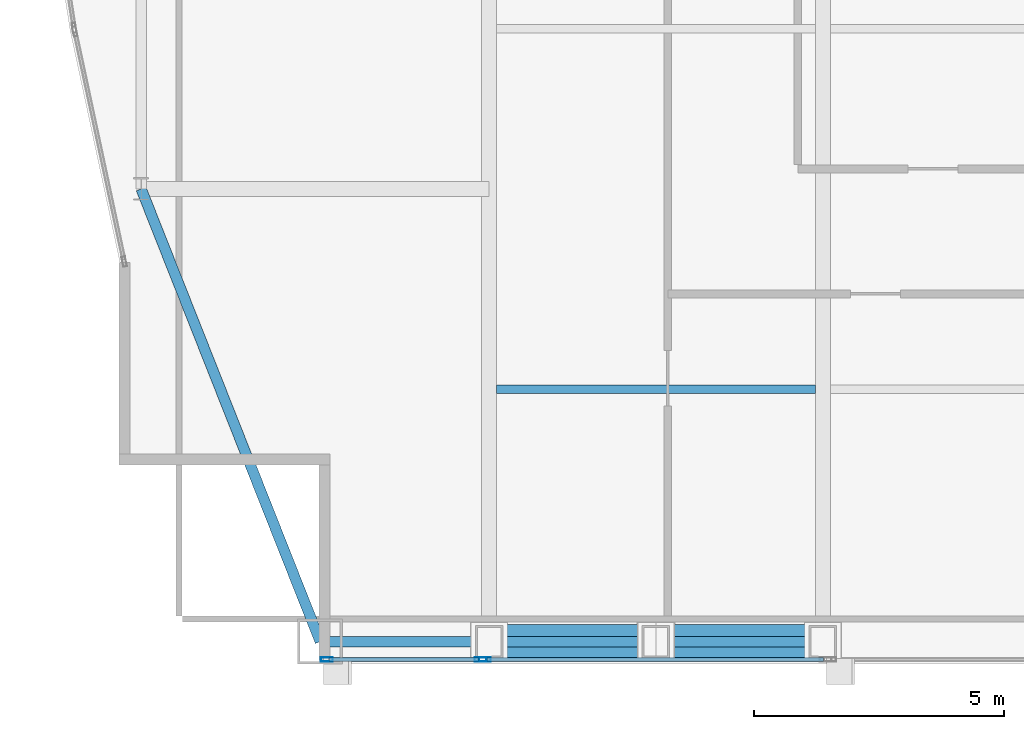
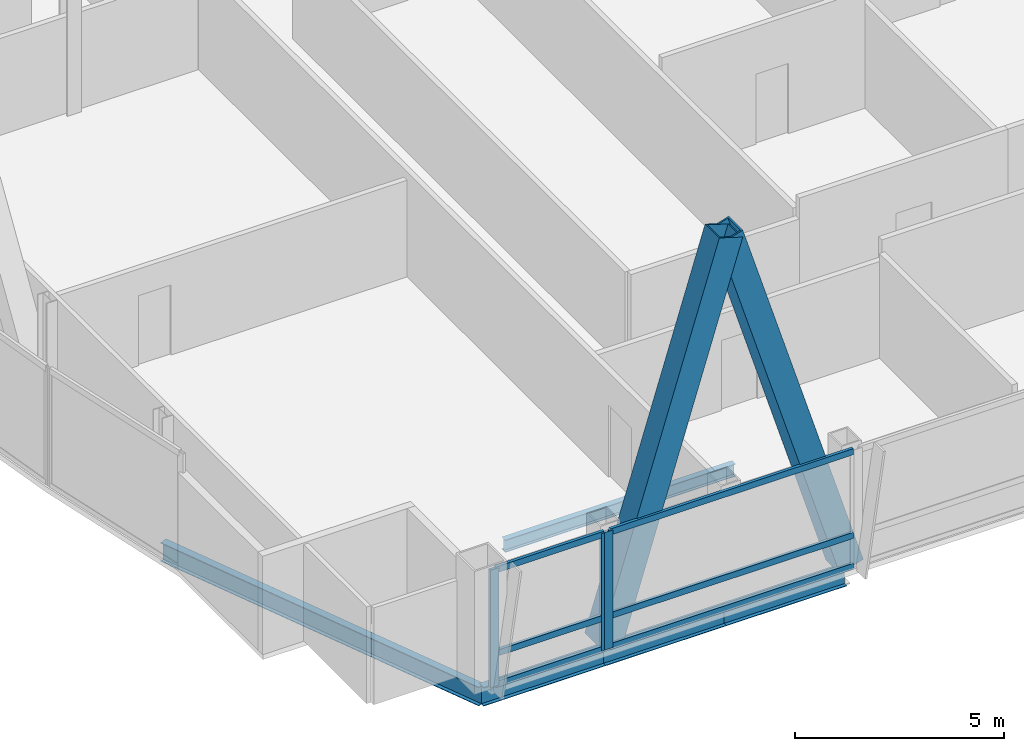
# One storey, part 4 of 29: 11 members, 5 beams, 2 elements without a shape of their own.
"""IFC4 building model written with IfcOpenShell, lengths in metres."""

from ifc_helpers import new_model, si_unit, direction, frame, origin, origin_2d, place, context, subcontext, project, spatial, hollow_rectangle, i_section, extrude, material, material_profile, profile_set, type_object, element, aggregate, save


model = new_model("IFC4")

# Units and contexts
model_context = context("Model", 3, precision=1e-05, world=origin(), true_north=direction((0.0, 1.0)))
body_context = subcontext(model_context, "Body", "Model", "MODEL_VIEW")
ifc_project = project(units=[si_unit("LENGTHUNIT", "METRE"), si_unit("AREAUNIT", "SQUARE_METRE"), si_unit("VOLUMEUNIT", "CUBIC_METRE"), si_unit("PLANEANGLEUNIT", "RADIAN"), si_unit("MASSUNIT", "GRAM", prefix="KILO")], contexts=[model_context])

# Site, building, storey
site_placement = place(None, origin())
site = spatial("IfcSite", under=ifc_project, at=site_placement, CompositionType="ELEMENT")
building_placement = place(site_placement, origin())
building = spatial("IfcBuilding", under=site, at=building_placement, Name="Khoronbel Lancet Exchange", CompositionType="ELEMENT")
storey_placement = place(building_placement, frame((0.0, 0.0, 314.60009765625)))
storey = spatial("IfcBuildingStorey", under=building, at=storey_placement, Name="L81", CompositionType="ELEMENT", Elevation=314.60009765625)

# Beams
ifc_material_1 = material(Name="Steel S355", Category="steel")
ifc_material_profile_1 = material_profile(ifc_material_1, i_section(OverallWidth=0.169921875, OverallDepth=0.360107421875, WebThickness=0.008056640625, FlangeThickness=0.0126953125, at=origin_2d()), Name="IPE 360")
ifc_profile_set_1 = profile_set([ifc_material_profile_1], Name="Steel S355")
beam_type_1 = type_object("IfcBeamType", Name="BM-BJ6", PredefinedType="JOIST", material=ifc_profile_set_1)
beam_1_placement = place(storey_placement, frame((18.375, 15.199951171875, -0.340087890625), z_axis=(1.0, 0.0, 0.0), x_axis=(0.0, 1.0, 0.0)))
element("IfcBeam", 1, at=beam_1_placement, inside=storey, type_object=beam_type_1, Name="Level L81 secondary composite joist J01", PredefinedType="JOIST", context=body_context, shape_type="SweptSolid", body=[
    extrude(i_section(OverallWidth=0.169921875, OverallDepth=0.360107421875, WebThickness=0.008056640625, FlangeThickness=0.0126953125, at=origin_2d()), origin(), (0.0, 0.0, 1.0), 6.375),
])
ifc_material_profile_2 = material_profile(ifc_material_1, i_section(OverallWidth=0.2099609375, OverallDepth=0.550048828125, WebThickness=0.010986328125, FlangeThickness=0.01708984375, at=origin_2d()), Name="IPE 550")
ifc_profile_set_2 = profile_set([ifc_material_profile_2], Name="Steel S355")
beam_type_2 = type_object("IfcBeamType", Name="BM-BSP3", PredefinedType="SPANDREL", material=ifc_profile_set_2)
beam_2_placement = place(storey_placement, frame((14.85009765625, 10.14990234375, -0.43505859375), z_axis=(1.0, 0.0, 0.0), x_axis=(0.0, 1.0, 0.0)))
element("IfcBeam", 2, at=beam_2_placement, inside=storey, type_object=beam_type_2, Name="Level L81 perimeter spandrel beam SP01", PredefinedType="SPANDREL", context=body_context, shape_type="SweptSolid", body=[
    extrude(i_section(OverallWidth=0.2099609375, OverallDepth=0.550048828125, WebThickness=0.010986328125, FlangeThickness=0.01708984375, at=origin_2d()), origin(), (0.0, 0.0, 1.0), 3.375),
])
for number, where, z_axis, x_axis, name in (
    (3, (18.22509765625, 10.14990234375, -0.43505859375), (1.0, 0.0, 0.0), (0.0, 1.0, 0.0), "Level L81 perimeter spandrel beam SP02"),
    (4, (21.5625, 10.14990234375, -0.43505859375), (1.0, 0.0, 0.0), (0.0, 1.0, 0.0), "Level L81 perimeter spandrel beam SP03"),
):
    element("IfcBeam", number, at=place(storey_placement, frame(where, z_axis=z_axis, x_axis=x_axis)), inside=storey, type_object=beam_type_2, Name=name, PredefinedType="SPANDREL", context=body_context, shape_type="SweptSolid", body=[
        extrude(i_section(OverallWidth=0.2099609375, OverallDepth=0.550048828125, WebThickness=0.010986328125, FlangeThickness=0.01708984375, at=origin_2d()), origin(), (0.0, 0.0, 1.0), 3.33740234375),
    ])
beam_3_placement = place(storey_placement, frame((11.27001953125, 19.199951171875, -0.43505859375), z_axis=(0.367850095026, -0.92988510451, 0.0), x_axis=(0.92988510451, 0.367850095026, 0.0)))
element("IfcBeam", 5, at=beam_3_placement, inside=storey, type_object=beam_type_2, Name="Level L81 perimeter spandrel beam SP18", PredefinedType="SPANDREL", context=body_context, shape_type="SweptSolid", body=[
    extrude(i_section(OverallWidth=0.2099609375, OverallDepth=0.550048828125, WebThickness=0.010986328125, FlangeThickness=0.01708984375, at=origin_2d()), origin(), (0.0, 0.0, 1.0), 9.732421875),
])

# Curtain wall, members
ifc_material_2 = material(Name="Low-E Solar Control Insulating Glass", Category="glass")
curtain_wall_type = type_object("IfcCurtainWallType", Name="CW-3", PredefinedType="NOTDEFINED", material=ifc_material_2)
curtain_wall_1_placement = place(storey_placement, origin())
curtain_wall_1 = element("IfcCurtainWall", 6, at=curtain_wall_1_placement, inside=storey, type_object=curtain_wall_type, Name="Unitised curtain wall CW-L81-SWV", PredefinedType="NOTDEFINED")
ifc_material_3 = material(Name="Bronze-Anodised Aluminium 6063-T6", Category="aluminium")
ifc_material_profile_3 = material_profile(ifc_material_3, hollow_rectangle(XDim=0.0849609375, YDim=0.239990234375, WallThickness=0.006103515625, at=origin_2d()), Name="ALU MULLION 85x240")
ifc_profile_set_3 = profile_set([ifc_material_profile_3], Name="Bronze-Anodised Aluminium 6063-T6")
member_type_1 = type_object("IfcMemberType", Name="MEM-CWM1", PredefinedType="MULLION", material=ifc_profile_set_3)
member_1_placement = place(storey_placement, frame((14.982421875, 9.7900390625, 0.0), z_axis=(0.0, 0.0, 1.0), x_axis=(0.0, 1.0, 0.0)))
member_1 = element("IfcMember", 7, at=member_1_placement, type_object=member_type_1, Name="CW3 mullion 1", PredefinedType="MULLION", context=body_context, shape_type="SweptSolid", body=[
    extrude(hollow_rectangle(XDim=0.0849609375, YDim=0.239990234375, WallThickness=0.006103515625, at=origin_2d()), origin(), (0.0, 0.0, 1.0), 3.43994140625),
])
member_2_placement = place(storey_placement, frame((18.0576171875, 9.7900390625, 0.0), z_axis=(0.0, 0.0, 1.0), x_axis=(0.0, 1.0, 0.0)))
member_2 = element("IfcMember", 8, at=member_2_placement, type_object=member_type_1, Name="CW3 mullion 2", PredefinedType="MULLION", context=body_context, shape_type="SweptSolid", body=[
    extrude(hollow_rectangle(XDim=0.0849609375, YDim=0.239990234375, WallThickness=0.006103515625, at=origin_2d()), origin(), (0.0, 0.0, 1.0), 3.43994140625),
])

# Curtain wall, member
curtain_wall_2_placement = place(storey_placement, origin())
curtain_wall_2 = element("IfcCurtainWall", 9, at=curtain_wall_2_placement, inside=storey, type_object=curtain_wall_type, Name="Unitised curtain wall CW-L81-SWB", PredefinedType="NOTDEFINED")
member_3_placement = place(storey_placement, frame((18.142578125, 9.7900390625, 0.0), z_axis=(0.0, 0.0, 1.0), x_axis=(0.0, 1.0, 0.0)))
member_3 = element("IfcMember", 10, at=member_3_placement, type_object=member_type_1, Name="CW3 mullion 1", PredefinedType="MULLION", context=body_context, shape_type="SweptSolid", body=[
    extrude(hollow_rectangle(XDim=0.0849609375, YDim=0.239990234375, WallThickness=0.006103515625, at=origin_2d()), origin(), (0.0, 0.0, 1.0), 3.43994140625),
])

# Member
ifc_material_profile_4 = material_profile(ifc_material_3, hollow_rectangle(XDim=0.0849609375, YDim=0.179931640625, WallThickness=0.0048828125, at=origin_2d()), Name="ALU TRANSOM 85x180")
ifc_profile_set_4 = profile_set([ifc_material_profile_4], Name="Bronze-Anodised Aluminium 6063-T6")
member_type_2 = type_object("IfcMemberType", Name="MEM-CWT1", PredefinedType="USERDEFINED", material=ifc_profile_set_4)
member_4_placement = place(storey_placement, frame((15.02490234375, 9.7900390625, 0.04248046875), z_axis=(1.0, 0.0, 0.0), x_axis=(0.0, 1.0, 0.0)))
member_4 = element("IfcMember", 11, at=member_4_placement, type_object=member_type_2, Name="CW3 transom 1.1", ObjectType="TRANSOM", PredefinedType="USERDEFINED", context=body_context, shape_type="SweptSolid", body=[
    extrude(hollow_rectangle(XDim=0.0849609375, YDim=0.179931640625, WallThickness=0.0048828125, at=origin_2d()), origin(), (0.0, 0.0, 1.0), 2.989990234375),
])

member_5_placement = place(storey_placement, frame((15.02490234375, 9.7900390625, 0.949951171875), z_axis=(1.0, 0.0, 0.0), x_axis=(0.0, 1.0, 0.0)))
member_5 = element("IfcMember", 12, at=member_5_placement, type_object=member_type_2, Name="CW3 transom 1.2", ObjectType="TRANSOM", PredefinedType="USERDEFINED", context=body_context, shape_type="SweptSolid", body=[
    extrude(hollow_rectangle(XDim=0.0849609375, YDim=0.179931640625, WallThickness=0.0048828125, at=origin_2d()), origin(), (0.0, 0.0, 1.0), 2.989990234375),
])

member_6_placement = place(storey_placement, frame((15.02490234375, 9.7900390625, 3.3974609375), z_axis=(1.0, 0.0, 0.0), x_axis=(0.0, 1.0, 0.0)))
member_6 = element("IfcMember", 13, at=member_6_placement, type_object=member_type_2, Name="CW3 transom 1.3", ObjectType="TRANSOM", PredefinedType="USERDEFINED", context=body_context, shape_type="SweptSolid", body=[
    extrude(hollow_rectangle(XDim=0.0849609375, YDim=0.179931640625, WallThickness=0.0048828125, at=origin_2d()), origin(), (0.0, 0.0, 1.0), 2.989990234375),
])

aggregate(curtain_wall_1, [member_1, member_2, member_4, member_5, member_6])

member_7_placement = place(storey_placement, frame((18.18505859375, 9.7900390625, 0.04248046875), z_axis=(1.0, 0.0, 0.0), x_axis=(0.0, 1.0, 0.0)))
member_7 = element("IfcMember", 14, at=member_7_placement, type_object=member_type_2, Name="CW3 transom 1.1", ObjectType="TRANSOM", PredefinedType="USERDEFINED", context=body_context, shape_type="SweptSolid", body=[
    extrude(hollow_rectangle(XDim=0.0849609375, YDim=0.179931640625, WallThickness=0.0048828125, at=origin_2d()), origin(), (0.0, 0.0, 1.0), 6.72998046875),
])

member_8_placement = place(storey_placement, frame((18.18505859375, 9.7900390625, 0.949951171875), z_axis=(1.0, 0.0, 0.0), x_axis=(0.0, 1.0, 0.0)))
member_8 = element("IfcMember", 15, at=member_8_placement, type_object=member_type_2, Name="CW3 transom 1.2", ObjectType="TRANSOM", PredefinedType="USERDEFINED", context=body_context, shape_type="SweptSolid", body=[
    extrude(hollow_rectangle(XDim=0.0849609375, YDim=0.179931640625, WallThickness=0.0048828125, at=origin_2d()), origin(), (0.0, 0.0, 1.0), 6.72998046875),
])

member_9_placement = place(storey_placement, frame((18.18505859375, 9.7900390625, 3.3974609375), z_axis=(1.0, 0.0, 0.0), x_axis=(0.0, 1.0, 0.0)))
member_9 = element("IfcMember", 16, at=member_9_placement, type_object=member_type_2, Name="CW3 transom 1.3", ObjectType="TRANSOM", PredefinedType="USERDEFINED", context=body_context, shape_type="SweptSolid", body=[
    extrude(hollow_rectangle(XDim=0.0849609375, YDim=0.179931640625, WallThickness=0.0048828125, at=origin_2d()), origin(), (0.0, 0.0, 1.0), 6.72998046875),
])

aggregate(curtain_wall_2, [member_3, member_7, member_8, member_9])

# Members
ifc_material_4 = material(Name="Steel S460", Category="steel")
ifc_material_profile_5 = material_profile(ifc_material_4, hollow_rectangle(XDim=0.679931640625, YDim=0.679931640625, WallThickness=0.044921875, at=origin_2d()), Name="BOX 680x680x45")
ifc_profile_set_5 = profile_set([ifc_material_profile_5], Name="Steel S460")
member_type_3 = type_object("IfcMemberType", Name="MEM-MB3", PredefinedType="BRACE", material=ifc_profile_set_5)
for number, where, z_axis, x_axis, name in (
    (17, (18.22509765625, 10.14990234375, 0.0), (0.295248201357, 0.0, 0.955420587802), (0.0, 1.0, 0.0), "Perimeter lancet brace tier 28 S-W-L"),
    (18, (24.89990234375, 10.14990234375, 0.0), (-0.295248201357, 0.0, 0.955420587802), (0.0, -1.0, 0.0), "Perimeter lancet brace tier 28 S-W-R"),
):
    element("IfcMember", number, at=place(storey_placement, frame(where, z_axis=z_axis, x_axis=x_axis)), inside=storey, type_object=member_type_3, Name=name, PredefinedType="BRACE", context=body_context, shape_type="SweptSolid", body=[
        extrude(hollow_rectangle(XDim=0.679931640625, YDim=0.679931640625, WallThickness=0.044921875, at=origin_2d()), origin(), (0.0, 0.0, 1.0), 11.3037109375),
    ])

save(model, "model.ifc")
